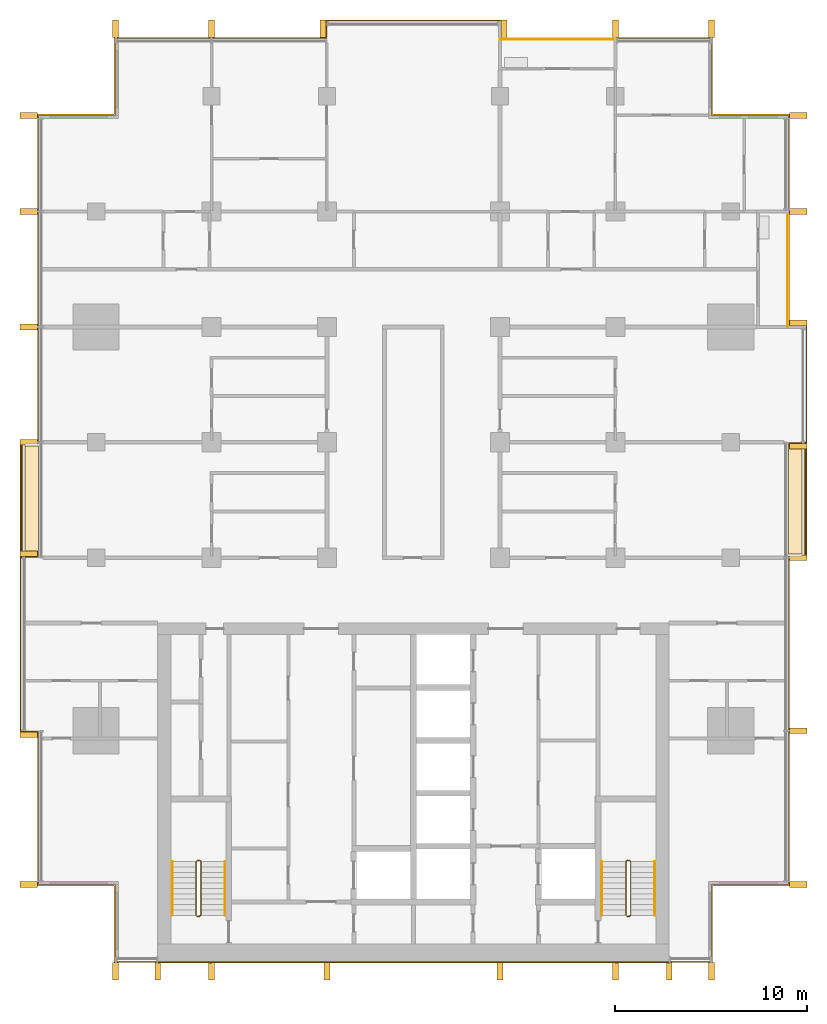
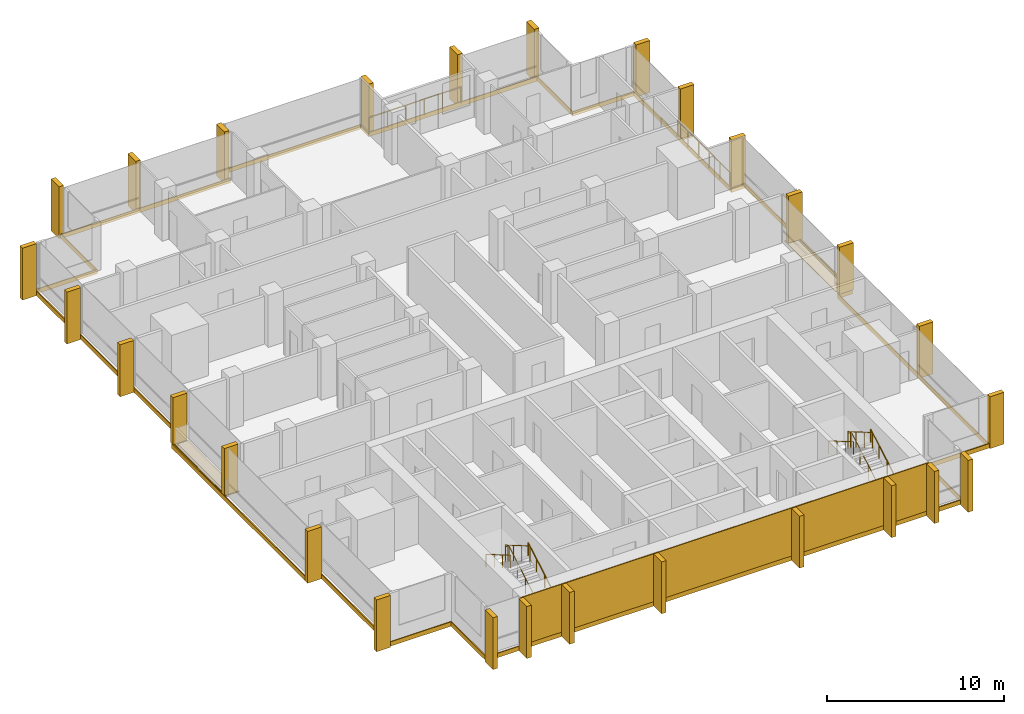
# One storey, part 16 of 16: 28 shading devices, 10 coverings, 8 railings.
"""IFC4 building model written with IfcOpenShell, lengths in metres."""

from ifc_helpers import new_model, si_unit, direction, frame, origin, origin_2d, place, context, subcontext, project, spatial, polyline, rectangle, circle, outline, extrude, material, layer, layer_set, type_object, element, save


model = new_model("IFC4")

# Units and contexts
model_context = context("Model", 3, precision=1e-05, world=origin(), true_north=direction((0.0, 1.0)))
body_context = subcontext(model_context, "Body", "Model", "MODEL_VIEW")
ifc_project = project(units=[si_unit("LENGTHUNIT", "METRE"), si_unit("AREAUNIT", "SQUARE_METRE"), si_unit("VOLUMEUNIT", "CUBIC_METRE"), si_unit("PLANEANGLEUNIT", "RADIAN"), si_unit("MASSUNIT", "GRAM", prefix="KILO")], contexts=[model_context])

# Site, building, storey
site_placement = place(None, origin())
site = spatial("IfcSite", under=ifc_project, at=site_placement, CompositionType="ELEMENT")
building_placement = place(site_placement, origin())
building = spatial("IfcBuilding", under=site, at=building_placement, Name="Finial Court Residences", CompositionType="ELEMENT")
storey_placement = place(building_placement, frame((0.0, 0.0, 160.10009765625)))
storey = spatial("IfcBuildingStorey", under=building, at=storey_placement, Name="L39", CompositionType="ELEMENT", Elevation=160.10009765625)

# Railings
ifc_material_1 = material(Name="Bronze anodised aluminium", Category="aluminium")
railing_type_1 = type_object("IfcRailingType", Name="Balcony guard 1100", PredefinedType="GUARDRAIL", material=ifc_material_1)
railing_1_placement = place(storey_placement, frame((4.5, 22.449951171875, 0.0)))
element("IfcRailing", 1, at=railing_1_placement, inside=storey, type_object=railing_type_1, Name="E-L39-BALN4-R", PredefinedType="GUARDRAIL", context=body_context, shape_type="SweptSolid", body=[
    extrude(circle(Radius=0.02392578125, at=origin_2d()), frame((0.0, 0.0, 1.076171875), z_axis=(1.0, 0.0, 0.0), x_axis=(0.0, 1.0, 0.0)), (0.0, 0.0, 1.0), 6.0),
    extrude(circle(Radius=0.02099609375, at=origin_2d()), origin(), (0.0, 0.0, 1.0), 1.052001953125),
    extrude(circle(Radius=0.02099609375, at=origin_2d()), frame((1.199951171875, 0.0, 0.0)), (0.0, 0.0, 1.0), 1.052001953125),
    extrude(circle(Radius=0.02099609375, at=origin_2d()), frame((2.39990234375, 0.0, 0.0)), (0.0, 0.0, 1.0), 1.052001953125),
    extrude(circle(Radius=0.02099609375, at=origin_2d()), frame((3.60009765625, 0.0, 0.0)), (0.0, 0.0, 1.0), 1.052001953125),
    extrude(circle(Radius=0.02099609375, at=origin_2d()), frame((4.800048828125, 0.0, 0.0)), (0.0, 0.0, 1.0), 1.052001953125),
    extrude(circle(Radius=0.02099609375, at=origin_2d()), frame((6.0, 0.0, 0.0)), (0.0, 0.0, 1.0), 1.052001953125),
])
railing_2_placement = place(storey_placement, frame((19.449951171875, 7.5, 0.0)))
element("IfcRailing", 2, at=railing_2_placement, inside=storey, type_object=railing_type_1, Name="E-L39-BALE5-R", PredefinedType="GUARDRAIL", context=body_context, shape_type="SweptSolid", body=[
    extrude(circle(Radius=0.02392578125, at=origin_2d()), frame((0.0, 0.0, 1.076171875), z_axis=(0.0, 1.0, 0.0), x_axis=(-1.0, 0.0, 0.0)), (0.0, 0.0, 1.0), 6.0),
    extrude(circle(Radius=0.02099609375, at=origin_2d()), origin(), (0.0, 0.0, 1.0), 1.052001953125),
    extrude(circle(Radius=0.02099609375, at=origin_2d()), frame((0.0, 1.199951171875, 0.0)), (0.0, 0.0, 1.0), 1.052001953125),
    extrude(circle(Radius=0.02099609375, at=origin_2d()), frame((0.0, 2.39990234375, 0.0)), (0.0, 0.0, 1.0), 1.052001953125),
    extrude(circle(Radius=0.02099609375, at=origin_2d()), frame((0.0, 3.60009765625, 0.0)), (0.0, 0.0, 1.0), 1.052001953125),
    extrude(circle(Radius=0.02099609375, at=origin_2d()), frame((0.0, 4.800048828125, 0.0)), (0.0, 0.0, 1.0), 1.052001953125),
    extrude(circle(Radius=0.02099609375, at=origin_2d()), frame((0.0, 6.0, 0.0)), (0.0, 0.0, 1.0), 1.052001953125),
])

# Coverings
ifc_material_2 = material(Name="Natural limestone", Category="masonry")
ifc_layer_1 = layer(ifc_material_2, 0.06005859375)
ifc_layer_set_1 = layer_set([ifc_layer_1], Name="Limestone cladding to the blind core face 60")
covering_type_1 = type_object("IfcCoveringType", Name="Limestone cladding to the blind core face 60", PredefinedType="CLADDING", material=ifc_layer_set_1)
covering_1_placement = place(storey_placement, origin())
element("IfcCovering", 3, at=covering_1_placement, inside=storey, type_object=covering_type_1, Name="E-L39-CLAD1", PredefinedType="CLADDING", context=body_context, shape_type="SweptSolid", body=[
    extrude(outline(polyline([(-10.5, -25.56005859375), (-10.5, -25.5), (-13.300048828125, -25.5), (-13.300048828125, -25.56005859375), (-10.5, -25.56005859375)])), origin(), (0.0, 0.0, 1.0), 3.2998046875),
])
covering_2_placement = place(storey_placement, origin())
element("IfcCovering", 4, at=covering_2_placement, inside=storey, type_object=covering_type_1, Name="E-L39-CLAD2", PredefinedType="CLADDING", context=body_context, shape_type="SweptSolid", body=[
    extrude(outline(polyline([(-4.5, -25.56005859375), (-4.5, -25.5), (-10.5, -25.5), (-10.5, -25.56005859375), (-4.5, -25.56005859375)])), origin(), (0.0, 0.0, 1.0), 3.2998046875),
])
covering_3_placement = place(storey_placement, origin())
element("IfcCovering", 5, at=covering_3_placement, inside=storey, type_object=covering_type_1, Name="E-L39-CLAD3", PredefinedType="CLADDING", context=body_context, shape_type="SweptSolid", body=[
    extrude(outline(polyline([(4.5, -25.56005859375), (4.5, -25.5), (-4.5, -25.5), (-4.5, -25.56005859375), (4.5, -25.56005859375)])), origin(), (0.0, 0.0, 1.0), 3.2998046875),
])
covering_4_placement = place(storey_placement, origin())
element("IfcCovering", 6, at=covering_4_placement, inside=storey, type_object=covering_type_1, Name="E-L39-CLAD4", PredefinedType="CLADDING", context=body_context, shape_type="SweptSolid", body=[
    extrude(outline(polyline([(10.5, -25.56005859375), (10.5, -25.5), (4.5, -25.5), (4.5, -25.56005859375), (10.5, -25.56005859375)])), origin(), (0.0, 0.0, 1.0), 3.2998046875),
])
covering_5_placement = place(storey_placement, origin())
element("IfcCovering", 7, at=covering_5_placement, inside=storey, type_object=covering_type_1, Name="E-L39-CLAD5", PredefinedType="CLADDING", context=body_context, shape_type="SweptSolid", body=[
    extrude(outline(polyline([(13.300048828125, -25.56005859375), (13.300048828125, -25.5), (10.5, -25.5), (10.5, -25.56005859375), (13.300048828125, -25.56005859375)])), origin(), (0.0, 0.0, 1.0), 3.2998046875),
])

# Shading devices
shading_device_type = type_object("IfcShadingDeviceType", Name="Limestone fin 300 x 900", PredefinedType="USERDEFINED", material=ifc_material_2)
for number, where, z_axis, x_axis, name in (
    (8, (-15.5, 23.010009765625, -0.300048828125), (0.0, 0.0, 1.0), (1.0, 0.0, 0.0), "E-L39-FIN-N1"),
    (9, (-10.5, 23.010009765625, -0.300048828125), (0.0, 0.0, 1.0), (1.0, 0.0, 0.0), "E-L39-FIN-N2"),
    (10, (-4.7099609375, 23.010009765625, -0.300048828125), (0.0, 0.0, 1.0), (1.0, 0.0, 0.0), "E-L39-FIN-N3"),
    (11, (4.7099609375, 23.010009765625, -0.300048828125), (0.0, 0.0, 1.0), (1.0, 0.0, 0.0), "E-L39-FIN-N4"),
    (12, (10.5, 23.010009765625, -0.300048828125), (0.0, 0.0, 1.0), (1.0, 0.0, 0.0), "E-L39-FIN-N5"),
    (13, (15.5, 23.010009765625, -0.300048828125), (0.0, 0.0, 1.0), (1.0, 0.0, 0.0), "E-L39-FIN-N6"),
):
    element("IfcShadingDevice", number, at=place(storey_placement, frame(where, z_axis=z_axis, x_axis=x_axis)), inside=storey, type_object=shading_device_type, Name=name, ObjectType="FIN", PredefinedType="USERDEFINED", context=body_context, shape_type="SweptSolid", body=[
        extrude(rectangle(XDim=0.300048828125, YDim=0.89990234375, at=origin_2d()), origin(), (0.0, 0.0, 1.0), 3.580078125),
    ])
for number, where, z_axis, x_axis, name in (
    (14, (20.010009765625, -21.5, -0.300048828125), (0.0, 0.0, 1.0), (1.0, 0.0, 0.0), "E-L39-FIN-E7"),
    (15, (20.010009765625, -13.5, -0.300048828125), (0.0, 0.0, 1.0), (1.0, 0.0, 0.0), "E-L39-FIN-E8"),
):
    element("IfcShadingDevice", number, at=place(storey_placement, frame(where, z_axis=z_axis, x_axis=x_axis)), inside=storey, type_object=shading_device_type, Name=name, ObjectType="FIN", PredefinedType="USERDEFINED", context=body_context, shape_type="SweptSolid", body=[
        extrude(rectangle(XDim=0.89990234375, YDim=0.300048828125, at=origin_2d()), origin(), (0.0, 0.0, 1.0), 3.580078125),
    ])
for number, where, z_axis, x_axis, name in (
    (16, (20.010009765625, -4.5, 0.0400390625), (0.0, 0.0, 1.0), (1.0, 0.0, 0.0), "E-L39-FIN-E9"),
    (17, (20.010009765625, 1.2900390625, 0.0400390625), (0.0, 0.0, 1.0), (1.0, 0.0, 0.0), "E-L39-FIN-E10"),
):
    element("IfcShadingDevice", number, at=place(storey_placement, frame(where, z_axis=z_axis, x_axis=x_axis)), inside=storey, type_object=shading_device_type, Name=name, ObjectType="FIN", PredefinedType="USERDEFINED", context=body_context, shape_type="SweptSolid", body=[
        extrude(rectangle(XDim=0.89990234375, YDim=0.300048828125, at=origin_2d()), origin(), (0.0, 0.0, 1.0), 3.239990234375),
    ])
for number, where, z_axis, x_axis, name in (
    (18, (20.010009765625, 7.7099609375, -0.300048828125), (0.0, 0.0, 1.0), (1.0, 0.0, 0.0), "E-L39-FIN-E11"),
    (19, (20.010009765625, 13.5, -0.300048828125), (0.0, 0.0, 1.0), (1.0, 0.0, 0.0), "E-L39-FIN-E12"),
    (20, (20.010009765625, 18.5, -0.300048828125), (0.0, 0.0, 1.0), (1.0, 0.0, 0.0), "E-L39-FIN-E13"),
):
    element("IfcShadingDevice", number, at=place(storey_placement, frame(where, z_axis=z_axis, x_axis=x_axis)), inside=storey, type_object=shading_device_type, Name=name, ObjectType="FIN", PredefinedType="USERDEFINED", context=body_context, shape_type="SweptSolid", body=[
        extrude(rectangle(XDim=0.89990234375, YDim=0.300048828125, at=origin_2d()), origin(), (0.0, 0.0, 1.0), 3.580078125),
    ])
for number, where, z_axis, x_axis, name in (
    (21, (-15.5, -26.010009765625, -0.300048828125), (0.0, 0.0, 1.0), (1.0, 0.0, 0.0), "E-L39-FIN-S14"),
    (22, (-13.300048828125, -26.010009765625, -0.300048828125), (0.0, 0.0, 1.0), (1.0, 0.0, 0.0), "E-L39-FIN-S15"),
    (23, (-10.5, -26.010009765625, -0.300048828125), (0.0, 0.0, 1.0), (1.0, 0.0, 0.0), "E-L39-FIN-S16"),
    (24, (-4.5, -26.010009765625, -0.300048828125), (0.0, 0.0, 1.0), (1.0, 0.0, 0.0), "E-L39-FIN-S17"),
    (25, (4.5, -26.010009765625, -0.300048828125), (0.0, 0.0, 1.0), (1.0, 0.0, 0.0), "E-L39-FIN-S18"),
    (26, (10.5, -26.010009765625, -0.300048828125), (0.0, 0.0, 1.0), (1.0, 0.0, 0.0), "E-L39-FIN-S19"),
    (27, (13.300048828125, -26.010009765625, -0.300048828125), (0.0, 0.0, 1.0), (1.0, 0.0, 0.0), "E-L39-FIN-S20"),
    (28, (15.5, -26.010009765625, -0.300048828125), (0.0, 0.0, 1.0), (1.0, 0.0, 0.0), "E-L39-FIN-S21"),
):
    element("IfcShadingDevice", number, at=place(storey_placement, frame(where, z_axis=z_axis, x_axis=x_axis)), inside=storey, type_object=shading_device_type, Name=name, ObjectType="FIN", PredefinedType="USERDEFINED", context=body_context, shape_type="SweptSolid", body=[
        extrude(rectangle(XDim=0.300048828125, YDim=0.89990234375, at=origin_2d()), origin(), (0.0, 0.0, 1.0), 3.580078125),
    ])
for number, where, z_axis, x_axis, name in (
    (29, (-20.010009765625, -21.5, -0.300048828125), (0.0, 0.0, 1.0), (1.0, 0.0, 0.0), "E-L39-FIN-W22"),
    (30, (-20.010009765625, -13.7099609375, -0.300048828125), (0.0, 0.0, 1.0), (1.0, 0.0, 0.0), "E-L39-FIN-W23"),
):
    element("IfcShadingDevice", number, at=place(storey_placement, frame(where, z_axis=z_axis, x_axis=x_axis)), inside=storey, type_object=shading_device_type, Name=name, ObjectType="FIN", PredefinedType="USERDEFINED", context=body_context, shape_type="SweptSolid", body=[
        extrude(rectangle(XDim=0.89990234375, YDim=0.300048828125, at=origin_2d()), origin(), (0.0, 0.0, 1.0), 3.580078125),
    ])
for number, where, z_axis, x_axis, name in (
    (31, (-20.010009765625, -4.2900390625, 0.0400390625), (0.0, 0.0, 1.0), (1.0, 0.0, 0.0), "E-L39-FIN-W24"),
    (32, (-20.010009765625, 1.5, 0.0400390625), (0.0, 0.0, 1.0), (1.0, 0.0, 0.0), "E-L39-FIN-W25"),
):
    element("IfcShadingDevice", number, at=place(storey_placement, frame(where, z_axis=z_axis, x_axis=x_axis)), inside=storey, type_object=shading_device_type, Name=name, ObjectType="FIN", PredefinedType="USERDEFINED", context=body_context, shape_type="SweptSolid", body=[
        extrude(rectangle(XDim=0.89990234375, YDim=0.300048828125, at=origin_2d()), origin(), (0.0, 0.0, 1.0), 3.239990234375),
    ])
for number, where, z_axis, x_axis, name in (
    (33, (-20.010009765625, 7.5, -0.300048828125), (0.0, 0.0, 1.0), (1.0, 0.0, 0.0), "E-L39-FIN-W26"),
    (34, (-20.010009765625, 13.5, -0.300048828125), (0.0, 0.0, 1.0), (1.0, 0.0, 0.0), "E-L39-FIN-W27"),
    (35, (-20.010009765625, 18.5, -0.300048828125), (0.0, 0.0, 1.0), (1.0, 0.0, 0.0), "E-L39-FIN-W28"),
):
    element("IfcShadingDevice", number, at=place(storey_placement, frame(where, z_axis=z_axis, x_axis=x_axis)), inside=storey, type_object=shading_device_type, Name=name, ObjectType="FIN", PredefinedType="USERDEFINED", context=body_context, shape_type="SweptSolid", body=[
        extrude(rectangle(XDim=0.89990234375, YDim=0.300048828125, at=origin_2d()), origin(), (0.0, 0.0, 1.0), 3.580078125),
    ])

# Coverings
ifc_material_3 = material(Name="Pale limestone", Category="masonry")
ifc_layer_2 = layer(ifc_material_3, 0.06005859375)
ifc_layer_set_2 = layer_set([ifc_layer_2], Name="Pale limestone slab-edge band 60")
covering_type_2 = type_object("IfcCoveringType", Name="Pale limestone slab-edge band 60", PredefinedType="CLADDING", material=ifc_layer_set_2)
covering_6_placement = place(storey_placement, frame((0.0, 0.0, -0.300048828125)))
element("IfcCovering", 36, at=covering_6_placement, inside=storey, type_object=covering_type_2, Name="E-L39-BAND1", PredefinedType="CLADDING", context=body_context, shape_type="SweptSolid", body=[
    extrude(outline(polyline([(-19.56005859375, 1.56005859375), (-19.56005859375, 18.56005859375), (-15.56005859375, 18.56005859375), (-15.56005859375, 22.56005859375), (-4.56005859375, 22.56005859375), (-4.56005859375, 23.4599609375), (4.56005859375, 23.4599609375), (4.56005859375, 22.56005859375), (15.56005859375, 22.56005859375), (15.56005859375, 18.56005859375), (19.56005859375, 18.56005859375), (19.56005859375, 7.56005859375), (20.4599609375, 7.56005859375), (20.4599609375, -4.56005859375), (19.56005859375, -4.56005859375), (19.56005859375, -21.56005859375), (15.56005859375, -21.56005859375), (15.56005859375, -25.56005859375), (-15.56005859375, -25.56005859375), (-15.56005859375, -21.56005859375), (-19.56005859375, -21.56005859375), (-19.56005859375, -13.56005859375), (-20.4599609375, -13.56005859375), (-20.4599609375, 1.56005859375), (-19.56005859375, 1.56005859375)]), holes=[polyline([(-20.39990234375, -4.5), (-20.39990234375, -13.5), (-19.5, -13.5), (-19.5, -21.5), (-15.5, -21.5), (-15.5, -25.5), (15.5, -25.5), (15.5, -21.5), (19.5, -21.5), (19.5, -4.5), (20.39990234375, -4.5), (20.39990234375, 1.5), (20.39990234375, 7.5), (19.5, 7.5), (19.5, 13.5), (19.5, 18.5), (15.5, 18.5), (15.5, 22.5), (10.5, 22.5), (4.5, 22.5), (4.5, 23.39990234375), (-4.5, 23.39990234375), (-4.5, 22.5), (-15.5, 22.5), (-15.5, 18.5), (-19.5, 18.5), (-19.5, 1.5), (-20.39990234375, 1.5), (-20.39990234375, -4.5)])]), origin(), (0.0, 0.0, 1.0), 0.300048828125),
])
ifc_material_4 = material(Name="Bitumen membrane")
ifc_layer_3 = layer(ifc_material_4, 0.0400390625)
ifc_layer_set_3 = layer_set([ifc_layer_3], Name="Push box roofing, bitumen membrane 40")
covering_type_3 = type_object("IfcCoveringType", Name="Push box roofing, bitumen membrane 40", PredefinedType="ROOFING", material=ifc_layer_set_3)
covering_7_placement = place(storey_placement, origin())
element("IfcCovering", 37, at=covering_7_placement, inside=storey, type_object=covering_type_3, Name="E-L39-LED1", PredefinedType="ROOFING", context=body_context, shape_type="SweptSolid", body=[
    extrude(outline(polyline([(19.5, -4.449951171875), (20.199951171875, -4.449951171875), (20.35009765625, -4.449951171875), (20.35009765625, 1.5), (20.39990234375, 1.5), (20.39990234375, -4.5), (19.5, -4.5), (19.5, -4.449951171875)])), origin(), (0.0, 0.0, 1.0), 0.039794921875),
])
covering_8_placement = place(storey_placement, origin())
element("IfcCovering", 38, at=covering_8_placement, inside=storey, type_object=covering_type_3, Name="E-L39-LED1b", PredefinedType="ROOFING", context=body_context, shape_type="SweptSolid", body=[
    extrude(outline(polyline([(19.5, 1.5), (20.199951171875, 1.5), (20.199951171875, -4.300048828125), (19.5, -4.300048828125), (19.5, 1.5)])), origin(), (0.0, 0.0, 1.0), 0.039794921875),
])
covering_9_placement = place(storey_placement, origin())
element("IfcCovering", 39, at=covering_9_placement, inside=storey, type_object=covering_type_3, Name="E-L39-LED2", PredefinedType="ROOFING", context=body_context, shape_type="SweptSolid", body=[
    extrude(outline(polyline([(-19.5, 1.449951171875), (-20.199951171875, 1.449951171875), (-20.35009765625, 1.449951171875), (-20.35009765625, -4.5), (-20.39990234375, -4.5), (-20.39990234375, 1.5), (-19.5, 1.5), (-19.5, 1.449951171875)])), origin(), (0.0, 0.0, 1.0), 0.039794921875),
])
covering_10_placement = place(storey_placement, origin())
element("IfcCovering", 40, at=covering_10_placement, inside=storey, type_object=covering_type_3, Name="E-L39-LED2b", PredefinedType="ROOFING", context=body_context, shape_type="SweptSolid", body=[
    extrude(outline(polyline([(-19.5, -4.5), (-20.199951171875, -4.5), (-20.199951171875, 1.300048828125), (-19.5, 1.300048828125), (-19.5, -4.5)])), origin(), (0.0, 0.0, 1.0), 0.039794921875),
])

# Railings
ifc_material_5 = material(Name="Stainless steel railing", Category="steel")
railing_type_2 = type_object("IfcRailingType", Name="Stair guard 1100", PredefinedType="GUARDRAIL", material=ifc_material_5)
railing_3_placement = place(storey_placement, frame((-11.10009765625, -23.14990234375, 0.0)))
element("IfcRailing", 41, at=railing_3_placement, inside=storey, type_object=railing_type_2, Name="L39 ST-1 stair guard 1", PredefinedType="GUARDRAIL", context=body_context, shape_type="SweptSolid", body=[
    extrude(circle(Radius=0.02392578125, at=origin_2d()), frame((0.0, 0.0, 1.076171875), z_axis=(-1.0, 0.0, 0.0), x_axis=(0.0, -1.0, 0.0)), (0.0, 0.0, 1.0), 0.14990234375),
    extrude(circle(Radius=0.02392578125, at=origin_2d()), frame((-0.14990234375, 0.0, 1.076171875), z_axis=(0.760004195007, 0.189305074214, 0.621737253547), x_axis=(-0.241699205484, 0.970351222016, 0.0)), (0.0, 0.0, 1.0), 0.26318359375),
    extrude(circle(Radius=0.02392578125, at=origin_2d()), frame((0.050048828125, 0.0498046875, 1.23974609375), z_axis=(0.0, 0.863393664356, 0.504530851732), x_axis=(-1.0, 0.0, 0.0)), (0.0, 0.0, 1.0), 3.2431640625),
    extrude(circle(Radius=0.02392578125, at=origin_2d()), frame((0.050048828125, 2.849853515625, 2.8759765625), z_axis=(-0.707106781187, 0.707106781187, 0.0), x_axis=(-0.707106781187, -0.707106781187, 0.0)), (0.0, 0.0, 1.0), 0.07080078125),
    extrude(circle(Radius=0.02392578125, at=origin_2d()), frame((0.0, 2.89990234375, 2.8759765625), z_axis=(-1.0, 0.0, 0.0), x_axis=(0.0, -1.0, 0.0)), (0.0, 0.0, 1.0), 0.14990234375),
    extrude(circle(Radius=0.02392578125, at=origin_2d()), frame((-0.14990234375, 2.89990234375, 2.8759765625), z_axis=(-0.280456126637, -0.280456126637, 0.917980785237), x_axis=(0.707106781187, -0.707106781187, 0.0)), (0.0, 0.0, 1.0), 0.178466796875),
    extrude(circle(Radius=0.02392578125, at=origin_2d()), frame((-0.199951171875, 2.849853515625, 3.03955078125), z_axis=(0.0, -0.863393664356, 0.504530851732), x_axis=(1.0, 0.0, 0.0)), (0.0, 0.0, 1.0), 3.2431640625),
    extrude(circle(Radius=0.02099609375, at=origin_2d()), origin(), (0.0, 0.0, 1.0), 1.052001953125),
    extrude(circle(Radius=0.02099609375, at=origin_2d()), frame((-0.14990234375, 0.0, 0.0)), (0.0, 0.0, 1.0), 1.052001953125),
    extrude(circle(Radius=0.02099609375, at=origin_2d()), frame((0.050048828125, 0.0498046875, 0.16357421875)), (0.0, 0.0, 1.0), 1.052001953125),
    extrude(circle(Radius=0.02099609375, at=origin_2d()), frame((0.050048828125, 0.983154296875, 0.708984375)), (0.0, 0.0, 1.0), 1.052001953125),
    extrude(circle(Radius=0.02099609375, at=origin_2d()), frame((0.050048828125, 1.91650390625, 1.25439453125)), (0.0, 0.0, 1.0), 1.052001953125),
    extrude(circle(Radius=0.02099609375, at=origin_2d()), frame((0.050048828125, 2.849853515625, 1.7998046875)), (0.0, 0.0, 1.0), 1.052001953125),
    extrude(circle(Radius=0.02099609375, at=origin_2d()), frame((0.0, 2.89990234375, 1.7998046875)), (0.0, 0.0, 1.0), 1.052001953125),
    extrude(circle(Radius=0.02099609375, at=origin_2d()), frame((-0.14990234375, 2.89990234375, 1.7998046875)), (0.0, 0.0, 1.0), 1.052001953125),
    extrude(circle(Radius=0.02099609375, at=origin_2d()), frame((-0.199951171875, 2.849853515625, 1.963623046875)), (0.0, 0.0, 1.0), 1.052001953125),
    extrude(circle(Radius=0.02099609375, at=origin_2d()), frame((-0.199951171875, 1.91650390625, 2.509033203125)), (0.0, 0.0, 1.0), 1.052001953125),
    extrude(circle(Radius=0.02099609375, at=origin_2d()), frame((-0.199951171875, 0.983154296875, 3.054443359375)), (0.0, 0.0, 1.0), 1.052001953125),
    extrude(circle(Radius=0.02099609375, at=origin_2d()), frame((-0.199951171875, 0.0498046875, 3.599853515625)), (0.0, 0.0, 1.0), 1.052001953125),
])
railing_4_placement = place(storey_placement, frame((11.25, -23.14990234375, 0.0)))
element("IfcRailing", 42, at=railing_4_placement, inside=storey, type_object=railing_type_2, Name="L39 ST-2 stair guard 1", PredefinedType="GUARDRAIL", context=body_context, shape_type="SweptSolid", body=[
    extrude(circle(Radius=0.02392578125, at=origin_2d()), frame((0.0, 0.0, 1.076171875), z_axis=(-1.0, 0.0, 0.0), x_axis=(0.0, -1.0, 0.0)), (0.0, 0.0, 1.0), 0.14990234375),
    extrude(circle(Radius=0.02392578125, at=origin_2d()), frame((-0.14990234375, 0.0, 1.076171875), z_axis=(0.760004195007, 0.189305074214, 0.621737253547), x_axis=(-0.241699205484, 0.970351222016, 0.0)), (0.0, 0.0, 1.0), 0.26318359375),
    extrude(circle(Radius=0.02392578125, at=origin_2d()), frame((0.050048828125, 0.0498046875, 1.23974609375), z_axis=(0.0, 0.863393664356, 0.504530851732), x_axis=(-1.0, 0.0, 0.0)), (0.0, 0.0, 1.0), 3.2431640625),
    extrude(circle(Radius=0.02392578125, at=origin_2d()), frame((0.050048828125, 2.849853515625, 2.8759765625), z_axis=(-0.707106781187, 0.707106781187, 0.0), x_axis=(-0.707106781187, -0.707106781187, 0.0)), (0.0, 0.0, 1.0), 0.07080078125),
    extrude(circle(Radius=0.02392578125, at=origin_2d()), frame((0.0, 2.89990234375, 2.8759765625), z_axis=(-1.0, 0.0, 0.0), x_axis=(0.0, -1.0, 0.0)), (0.0, 0.0, 1.0), 0.14990234375),
    extrude(circle(Radius=0.02392578125, at=origin_2d()), frame((-0.14990234375, 2.89990234375, 2.8759765625), z_axis=(-0.280456126637, -0.280456126637, 0.917980785237), x_axis=(0.707106781187, -0.707106781187, 0.0)), (0.0, 0.0, 1.0), 0.178466796875),
    extrude(circle(Radius=0.02392578125, at=origin_2d()), frame((-0.199951171875, 2.849853515625, 3.03955078125), z_axis=(0.0, -0.863393664356, 0.504530851732), x_axis=(1.0, 0.0, 0.0)), (0.0, 0.0, 1.0), 3.2431640625),
    extrude(circle(Radius=0.02099609375, at=origin_2d()), origin(), (0.0, 0.0, 1.0), 1.052001953125),
    extrude(circle(Radius=0.02099609375, at=origin_2d()), frame((-0.14990234375, 0.0, 0.0)), (0.0, 0.0, 1.0), 1.052001953125),
    extrude(circle(Radius=0.02099609375, at=origin_2d()), frame((0.050048828125, 0.0498046875, 0.16357421875)), (0.0, 0.0, 1.0), 1.052001953125),
    extrude(circle(Radius=0.02099609375, at=origin_2d()), frame((0.050048828125, 0.983154296875, 0.708984375)), (0.0, 0.0, 1.0), 1.052001953125),
    extrude(circle(Radius=0.02099609375, at=origin_2d()), frame((0.050048828125, 1.91650390625, 1.25439453125)), (0.0, 0.0, 1.0), 1.052001953125),
    extrude(circle(Radius=0.02099609375, at=origin_2d()), frame((0.050048828125, 2.849853515625, 1.7998046875)), (0.0, 0.0, 1.0), 1.052001953125),
    extrude(circle(Radius=0.02099609375, at=origin_2d()), frame((0.0, 2.89990234375, 1.7998046875)), (0.0, 0.0, 1.0), 1.052001953125),
    extrude(circle(Radius=0.02099609375, at=origin_2d()), frame((-0.14990234375, 2.89990234375, 1.7998046875)), (0.0, 0.0, 1.0), 1.052001953125),
    extrude(circle(Radius=0.02099609375, at=origin_2d()), frame((-0.199951171875, 2.849853515625, 1.963623046875)), (0.0, 0.0, 1.0), 1.052001953125),
    extrude(circle(Radius=0.02099609375, at=origin_2d()), frame((-0.199951171875, 1.91650390625, 2.509033203125)), (0.0, 0.0, 1.0), 1.052001953125),
    extrude(circle(Radius=0.02099609375, at=origin_2d()), frame((-0.199951171875, 0.983154296875, 3.054443359375)), (0.0, 0.0, 1.0), 1.052001953125),
    extrude(circle(Radius=0.02099609375, at=origin_2d()), frame((-0.199951171875, 0.0498046875, 3.599853515625)), (0.0, 0.0, 1.0), 1.052001953125),
])
railing_type_3 = type_object("IfcRailingType", Name="Stair handrail 900", PredefinedType="HANDRAIL", material=ifc_material_5)
railing_5_placement = place(storey_placement, frame((-9.800048828125, -23.10009765625, 0.16357421875)))
element("IfcRailing", 43, at=railing_5_placement, inside=storey, type_object=railing_type_3, Name="L39 ST-1 stair handrail 1", PredefinedType="HANDRAIL", context=body_context, shape_type="SweptSolid", body=[
    extrude(circle(Radius=0.02392578125, at=origin_2d()), frame((0.0, 0.0, 0.8759765625), z_axis=(0.0, 0.863393664356, 0.504530851732), x_axis=(-1.0, 0.0, 0.0)), (0.0, 0.0, 1.0), 3.2431640625),
    extrude(circle(Radius=0.02099609375, at=origin_2d()), origin(), (0.0, 0.0, 1.0), 0.851806640625),
    extrude(circle(Radius=0.02099609375, at=origin_2d()), frame((0.0, 0.933349609375, 0.54541015625)), (0.0, 0.0, 1.0), 0.851806640625),
    extrude(circle(Radius=0.02099609375, at=origin_2d()), frame((0.0, 1.86669921875, 1.0908203125)), (0.0, 0.0, 1.0), 0.851806640625),
    extrude(circle(Radius=0.02099609375, at=origin_2d()), frame((0.0, 2.800048828125, 1.63623046875)), (0.0, 0.0, 1.0), 0.851806640625),
])
railing_6_placement = place(storey_placement, frame((-12.550048828125, -20.300048828125, 1.963623046875)))
element("IfcRailing", 44, at=railing_6_placement, inside=storey, type_object=railing_type_3, Name="L39 ST-1 stair handrail 2", PredefinedType="HANDRAIL", context=body_context, shape_type="SweptSolid", body=[
    extrude(circle(Radius=0.02392578125, at=origin_2d()), frame((0.0, 0.0, 0.8759765625), z_axis=(0.0, -0.863393664356, 0.504530851732), x_axis=(1.0, 0.0, 0.0)), (0.0, 0.0, 1.0), 3.2431640625),
    extrude(circle(Radius=0.02099609375, at=origin_2d()), origin(), (0.0, 0.0, 1.0), 0.851806640625),
    extrude(circle(Radius=0.02099609375, at=origin_2d()), frame((0.0, -0.933349609375, 0.54541015625)), (0.0, 0.0, 1.0), 0.851806640625),
    extrude(circle(Radius=0.02099609375, at=origin_2d()), frame((0.0, -1.86669921875, 1.0908203125)), (0.0, 0.0, 1.0), 0.851806640625),
    extrude(circle(Radius=0.02099609375, at=origin_2d()), frame((0.0, -2.800048828125, 1.63623046875)), (0.0, 0.0, 1.0), 0.851806640625),
])
railing_7_placement = place(storey_placement, frame((12.550048828125, -23.10009765625, 0.16357421875)))
element("IfcRailing", 45, at=railing_7_placement, inside=storey, type_object=railing_type_3, Name="L39 ST-2 stair handrail 1", PredefinedType="HANDRAIL", context=body_context, shape_type="SweptSolid", body=[
    extrude(circle(Radius=0.02392578125, at=origin_2d()), frame((0.0, 0.0, 0.8759765625), z_axis=(0.0, 0.863393664356, 0.504530851732), x_axis=(-1.0, 0.0, 0.0)), (0.0, 0.0, 1.0), 3.2431640625),
    extrude(circle(Radius=0.02099609375, at=origin_2d()), origin(), (0.0, 0.0, 1.0), 0.851806640625),
    extrude(circle(Radius=0.02099609375, at=origin_2d()), frame((0.0, 0.933349609375, 0.54541015625)), (0.0, 0.0, 1.0), 0.851806640625),
    extrude(circle(Radius=0.02099609375, at=origin_2d()), frame((0.0, 1.86669921875, 1.0908203125)), (0.0, 0.0, 1.0), 0.851806640625),
    extrude(circle(Radius=0.02099609375, at=origin_2d()), frame((0.0, 2.800048828125, 1.63623046875)), (0.0, 0.0, 1.0), 0.851806640625),
])
railing_8_placement = place(storey_placement, frame((9.800048828125, -20.300048828125, 1.963623046875)))
element("IfcRailing", 46, at=railing_8_placement, inside=storey, type_object=railing_type_3, Name="L39 ST-2 stair handrail 2", PredefinedType="HANDRAIL", context=body_context, shape_type="SweptSolid", body=[
    extrude(circle(Radius=0.02392578125, at=origin_2d()), frame((0.0, 0.0, 0.8759765625), z_axis=(0.0, -0.863393664356, 0.504530851732), x_axis=(1.0, 0.0, 0.0)), (0.0, 0.0, 1.0), 3.2431640625),
    extrude(circle(Radius=0.02099609375, at=origin_2d()), origin(), (0.0, 0.0, 1.0), 0.851806640625),
    extrude(circle(Radius=0.02099609375, at=origin_2d()), frame((0.0, -0.933349609375, 0.54541015625)), (0.0, 0.0, 1.0), 0.851806640625),
    extrude(circle(Radius=0.02099609375, at=origin_2d()), frame((0.0, -1.86669921875, 1.0908203125)), (0.0, 0.0, 1.0), 0.851806640625),
    extrude(circle(Radius=0.02099609375, at=origin_2d()), frame((0.0, -2.800048828125, 1.63623046875)), (0.0, 0.0, 1.0), 0.851806640625),
])

save(model, "model.ifc")
